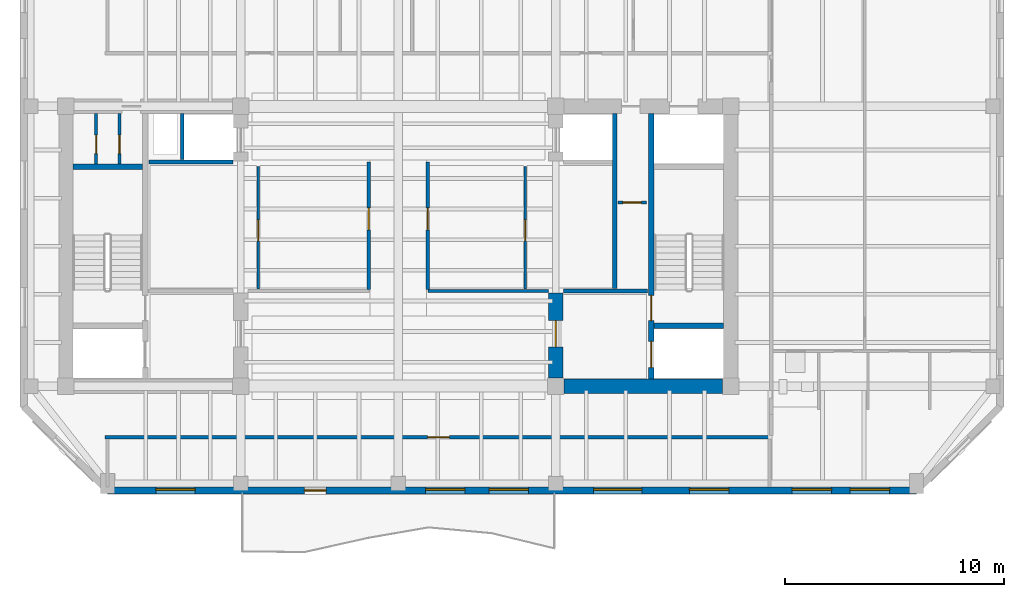
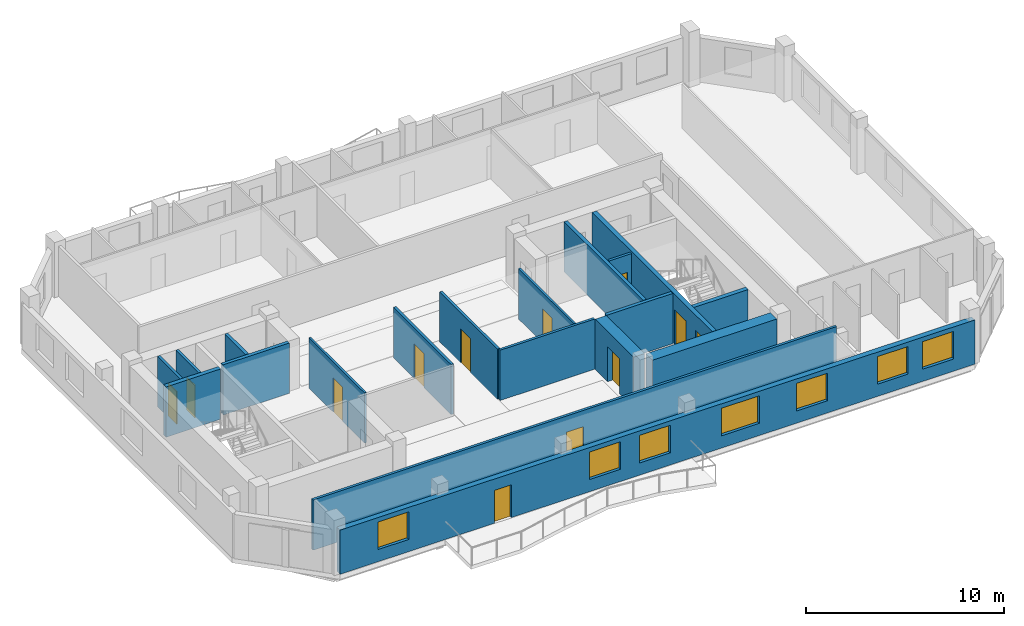
# One storey, part 3 of 9: 19 walls, 12 doors, 7 windows, 19 openings.
"""IFC4 building model written with IfcOpenShell, lengths in metres."""

from ifc_helpers import new_model, si_unit, direction, frame, frame_2d, origin, place, context, subcontext, project, spatial, rectangle, extrude, material, layer, layer_set, type_object, element, fill, save


model = new_model("IFC4")

# Units and contexts
model_context = context("Model", 3, precision=1e-05, world=origin(), true_north=direction((0.0, 1.0)))
body_context = subcontext(model_context, "Body", "Model", "MODEL_VIEW")
ifc_project = project(units=[si_unit("LENGTHUNIT", "METRE"), si_unit("AREAUNIT", "SQUARE_METRE"), si_unit("VOLUMEUNIT", "CUBIC_METRE"), si_unit("PLANEANGLEUNIT", "RADIAN"), si_unit("MASSUNIT", "GRAM", prefix="KILO")], contexts=[model_context])

# Site, building, storey
site_placement = place(None, origin())
site = spatial("IfcSite", under=ifc_project, at=site_placement, CompositionType="ELEMENT")
building_placement = place(site_placement, origin())
building = spatial("IfcBuilding", under=site, at=building_placement, Name="Kranthara Brick Stack", CompositionType="ELEMENT")
storey_placement = place(building_placement, frame((0.0, 0.0, 255.10009765625)))
storey = spatial("IfcBuildingStorey", under=building, at=storey_placement, Name="L67", CompositionType="ELEMENT", Elevation=255.10009765625)

# Wall, openings, door, windows
ifc_material_1 = material(Name="Warm buff clay brick masonry M15", Category="masonry")
ifc_layer_1 = layer(ifc_material_1, 0.320068359375)
ifc_layer_set_1 = layer_set([ifc_layer_1], Name="Warm buff clay brick masonry M15")
wall_type_1 = type_object("IfcWallType", Name="WL-BRK-UPPR-320", PredefinedType="STANDARD", material=ifc_layer_set_1)
wall_1_placement = place(storey_placement, frame((51.699951171875, 16.030029296875, 0.0), z_axis=(0.0, 0.0, 1.0), x_axis=(-1.0, 0.0, 0.0)))
wall_1 = element("IfcWall", 1, at=wall_1_placement, inside=storey, type_object=wall_type_1, Name="L67 Exterior Brick Facade Wall SOUTH 1", PredefinedType="STANDARD", context=body_context, shape_type="SweptSolid", body=[
    extrude(rectangle(XDim=37.0, YDim=0.320068359375, at=frame_2d((18.5, 0.0))), origin(), (0.0, 0.0, 1.0), 2.724853515625),
])
opening_1_placement = place(wall_1_placement, frame((27.0, 0.0, 0.0)))
opening_1 = element("IfcOpeningElement", 2, at=opening_1_placement, cuts=wall_1, Name="Opening D03", PredefinedType="OPENING", context=body_context, shape_type="SweptSolid", body=[
    extrude(rectangle(XDim=1.0, YDim=2.02001953125, at=frame_2d((0.5, 1.010009765625))), frame((0.0, 0.169921875, 0.0), z_axis=(0.0, -1.0, 0.0), x_axis=(1.0, 0.0, 0.0)), (0.0, 0.0, 1.0), 0.340087890625),
])
opening_2_placement = place(wall_1_placement, frame((1.235107421875, 0.0, 0.75)))
opening_2 = element("IfcOpeningElement", 3, at=opening_2_placement, cuts=wall_1, Name="Opening WN07", PredefinedType="OPENING", context=body_context, shape_type="SweptSolid", body=[
    extrude(rectangle(XDim=1.800048828125, YDim=1.699951171875, at=frame_2d((0.89990234375, 0.85009765625))), frame((0.0, 0.169921875, 0.0), z_axis=(0.0, -1.0, 0.0), x_axis=(1.0, 0.0, 0.0)), (0.0, 0.0, 1.0), 0.340087890625),
])
opening_3_placement = place(wall_1_placement, frame((3.885009765625, 0.0, 0.75)))
opening_3 = element("IfcOpeningElement", 4, at=opening_3_placement, cuts=wall_1, Name="Opening WN07", PredefinedType="OPENING", context=body_context, shape_type="SweptSolid", body=[
    extrude(rectangle(XDim=1.800048828125, YDim=1.699951171875, at=frame_2d((0.89990234375, 0.85009765625))), frame((0.0, 0.169921875, 0.0), z_axis=(0.0, -1.0, 0.0), x_axis=(1.0, 0.0, 0.0)), (0.0, 0.0, 1.0), 0.340087890625),
])
opening_4_placement = place(wall_1_placement, frame((8.5830078125, 0.0, 0.75)))
opening_4 = element("IfcOpeningElement", 5, at=opening_4_placement, cuts=wall_1, Name="Opening WN07", PredefinedType="OPENING", context=body_context, shape_type="SweptSolid", body=[
    extrude(rectangle(XDim=1.800048828125, YDim=1.699951171875, at=frame_2d((0.89990234375, 0.85009765625))), frame((0.0, 0.169921875, 0.0), z_axis=(0.0, -1.0, 0.0), x_axis=(1.0, 0.0, 0.0)), (0.0, 0.0, 1.0), 0.340087890625),
])
opening_5_placement = place(wall_1_placement, frame((12.56201171875, 0.0, 0.75)))
opening_5 = element("IfcOpeningElement", 6, at=opening_5_placement, cuts=wall_1, Name="Opening WN08", PredefinedType="OPENING", context=body_context, shape_type="SweptSolid", body=[
    extrude(rectangle(XDim=2.199951171875, YDim=1.699951171875, at=frame_2d((1.10009765625, 0.85009765625))), frame((0.0, 0.169921875, 0.0), z_axis=(0.0, -1.0, 0.0), x_axis=(1.0, 0.0, 0.0)), (0.0, 0.0, 1.0), 0.340087890625),
])
opening_6_placement = place(wall_1_placement, frame((17.748046875, 0.0, 0.75)))
opening_6 = element("IfcOpeningElement", 7, at=opening_6_placement, cuts=wall_1, Name="Opening WN07", PredefinedType="OPENING", context=body_context, shape_type="SweptSolid", body=[
    extrude(rectangle(XDim=1.800048828125, YDim=1.699951171875, at=frame_2d((0.89990234375, 0.85009765625))), frame((0.0, 0.169921875, 0.0), z_axis=(0.0, -1.0, 0.0), x_axis=(1.0, 0.0, 0.0)), (0.0, 0.0, 1.0), 0.340087890625),
])
opening_7_placement = place(wall_1_placement, frame((20.652099609375, 0.0, 0.75)))
opening_7 = element("IfcOpeningElement", 8, at=opening_7_placement, cuts=wall_1, Name="Opening WN07", PredefinedType="OPENING", context=body_context, shape_type="SweptSolid", body=[
    extrude(rectangle(XDim=1.800048828125, YDim=1.699951171875, at=frame_2d((0.89990234375, 0.85009765625))), frame((0.0, 0.169921875, 0.0), z_axis=(0.0, -1.0, 0.0), x_axis=(1.0, 0.0, 0.0)), (0.0, 0.0, 1.0), 0.340087890625),
])
opening_8_placement = place(wall_1_placement, frame((32.988037109375, 0.0, 0.75)))
opening_8 = element("IfcOpeningElement", 9, at=opening_8_placement, cuts=wall_1, Name="Opening WN07", PredefinedType="OPENING", context=body_context, shape_type="SweptSolid", body=[
    extrude(rectangle(XDim=1.800048828125, YDim=1.699951171875, at=frame_2d((0.89990234375, 0.85009765625))), frame((0.0, 0.169921875, 0.0), z_axis=(0.0, -1.0, 0.0), x_axis=(1.0, 0.0, 0.0)), (0.0, 0.0, 1.0), 0.340087890625),
])
ifc_material_2 = material(Name="Bronze anodised aluminium and laminated glass", Category="aluminium")
door_type_1 = type_object("IfcDoorType", Name="DR-BALC-1000", OperationType="NOTDEFINED", PredefinedType="DOOR", material=ifc_material_2)
door_1_placement = place(opening_1_placement, origin())
door_1 = element("IfcDoor", 10, at=door_1_placement, inside=storey, type_object=door_type_1, Name="L67 South Balcony Terrace Door", OperationType="SINGLE_SWING_LEFT", OverallHeight=2.02001953125, OverallWidth=1.0, PredefinedType="DOOR", context=body_context, shape_type="SweptSolid", body=[
    extrude(rectangle(XDim=1.0, YDim=2.02001953125, at=frame_2d((0.5, 1.010009765625))), frame((0.0, 0.02490234375, 0.0), z_axis=(0.0, -1.0, 0.0), x_axis=(1.0, 0.0, 0.0)), (0.0, 0.0, 1.0), 0.050048828125),
])
fill(opening_1, door_1)
ifc_material_3 = material(Name="Double-glazed low-E solar control glass", Category="glass")
window_type_1 = type_object("IfcWindowType", Name="WN-RES-1800x1850", PartitioningType="DOUBLE_PANEL_VERTICAL", PredefinedType="WINDOW", material=ifc_material_3)
window_1_placement = place(opening_2_placement, origin())
window_1 = element("IfcWindow", 11, at=window_1_placement, inside=storey, type_object=window_type_1, Name="L67 South Deep-Set Brick Window 01", OverallHeight=1.699951171875, OverallWidth=1.800048828125, PartitioningType="SINGLE_PANEL", PredefinedType="WINDOW", context=body_context, shape_type="SweptSolid", body=[
    extrude(rectangle(XDim=1.800048828125, YDim=1.699951171875, at=frame_2d((0.89990234375, 0.85009765625))), frame((0.0, -0.010009765625, 0.0), z_axis=(0.0, -1.0, 0.0), x_axis=(1.0, 0.0, 0.0)), (0.0, 0.0, 1.0), 0.06005859375),
])
fill(opening_2, window_1)
window_2_placement = place(opening_3_placement, origin())
window_2 = element("IfcWindow", 12, at=window_2_placement, inside=storey, type_object=window_type_1, Name="L67 South Deep-Set Brick Window 02", OverallHeight=1.699951171875, OverallWidth=1.800048828125, PartitioningType="SINGLE_PANEL", PredefinedType="WINDOW", context=body_context, shape_type="SweptSolid", body=[
    extrude(rectangle(XDim=1.800048828125, YDim=1.699951171875, at=frame_2d((0.89990234375, 0.85009765625))), frame((0.0, -0.010009765625, 0.0), z_axis=(0.0, -1.0, 0.0), x_axis=(1.0, 0.0, 0.0)), (0.0, 0.0, 1.0), 0.06005859375),
])
fill(opening_3, window_2)
window_3_placement = place(opening_4_placement, origin())
window_3 = element("IfcWindow", 13, at=window_3_placement, inside=storey, type_object=window_type_1, Name="L67 South Deep-Set Brick Window 03", OverallHeight=1.699951171875, OverallWidth=1.800048828125, PartitioningType="SINGLE_PANEL", PredefinedType="WINDOW", context=body_context, shape_type="SweptSolid", body=[
    extrude(rectangle(XDim=1.800048828125, YDim=1.699951171875, at=frame_2d((0.89990234375, 0.85009765625))), frame((0.0, -0.010009765625, 0.0), z_axis=(0.0, -1.0, 0.0), x_axis=(1.0, 0.0, 0.0)), (0.0, 0.0, 1.0), 0.06005859375),
])
fill(opening_4, window_3)
window_4_placement = place(opening_6_placement, origin())
window_4 = element("IfcWindow", 14, at=window_4_placement, inside=storey, type_object=window_type_1, Name="L67 South Deep-Set Brick Window 05", OverallHeight=1.699951171875, OverallWidth=1.800048828125, PartitioningType="SINGLE_PANEL", PredefinedType="WINDOW", context=body_context, shape_type="SweptSolid", body=[
    extrude(rectangle(XDim=1.800048828125, YDim=1.699951171875, at=frame_2d((0.89990234375, 0.85009765625))), frame((0.0, -0.010009765625, 0.0), z_axis=(0.0, -1.0, 0.0), x_axis=(1.0, 0.0, 0.0)), (0.0, 0.0, 1.0), 0.06005859375),
])
fill(opening_6, window_4)
window_5_placement = place(opening_7_placement, origin())
window_5 = element("IfcWindow", 15, at=window_5_placement, inside=storey, type_object=window_type_1, Name="L67 South Deep-Set Brick Window 06", OverallHeight=1.699951171875, OverallWidth=1.800048828125, PartitioningType="SINGLE_PANEL", PredefinedType="WINDOW", context=body_context, shape_type="SweptSolid", body=[
    extrude(rectangle(XDim=1.800048828125, YDim=1.699951171875, at=frame_2d((0.89990234375, 0.85009765625))), frame((0.0, -0.010009765625, 0.0), z_axis=(0.0, -1.0, 0.0), x_axis=(1.0, 0.0, 0.0)), (0.0, 0.0, 1.0), 0.06005859375),
])
fill(opening_7, window_5)
window_6_placement = place(opening_8_placement, origin())
window_6 = element("IfcWindow", 16, at=window_6_placement, inside=storey, type_object=window_type_1, Name="L67 South Deep-Set Brick Window 07", OverallHeight=1.699951171875, OverallWidth=1.800048828125, PartitioningType="SINGLE_PANEL", PredefinedType="WINDOW", context=body_context, shape_type="SweptSolid", body=[
    extrude(rectangle(XDim=1.800048828125, YDim=1.699951171875, at=frame_2d((0.89990234375, 0.85009765625))), frame((0.0, -0.010009765625, 0.0), z_axis=(0.0, -1.0, 0.0), x_axis=(1.0, 0.0, 0.0)), (0.0, 0.0, 1.0), 0.06005859375),
])
fill(opening_8, window_6)
ifc_material_4 = material(Name="Double-glazed low-E solar control glass", Category="glass")
window_type_2 = type_object("IfcWindowType", Name="WN-RES-2200x1850", PartitioningType="TRIPLE_PANEL_VERTICAL", PredefinedType="WINDOW", material=ifc_material_4)
window_7_placement = place(opening_5_placement, origin())
window_7 = element("IfcWindow", 17, at=window_7_placement, inside=storey, type_object=window_type_2, Name="L67 South Deep-Set Brick Window 04", OverallHeight=1.699951171875, OverallWidth=2.199951171875, PartitioningType="SINGLE_PANEL", PredefinedType="WINDOW", context=body_context, shape_type="SweptSolid", body=[
    extrude(rectangle(XDim=2.199951171875, YDim=1.699951171875, at=frame_2d((1.10009765625, 0.85009765625))), frame((0.0, -0.010009765625, 0.0), z_axis=(0.0, -1.0, 0.0), x_axis=(1.0, 0.0, 0.0)), (0.0, 0.0, 1.0), 0.06005859375),
])
fill(opening_5, window_7)

# Wall
ifc_material_5 = material(Name="Concrete C50/60", Category="concrete")
ifc_layer_2 = layer(ifc_material_5, 0.25)
ifc_layer_set_2 = layer_set([ifc_layer_2], Name="Concrete C50/60")
wall_type_2 = type_object("IfcWallType", Name="WL-CORE-250", PredefinedType="SHEAR", material=ifc_layer_set_2)
wall_2_placement = place(storey_placement, frame((13.135009765625, 30.830078125, 0.0), z_axis=(0.0, 0.0, 1.0), x_axis=(1.0, 0.0, 0.0)))
element("IfcWall", 18, at=wall_2_placement, inside=storey, type_object=wall_type_2, Name="L67 West Stairwell Bearing Wall WST", PredefinedType="SHEAR", context=body_context, shape_type="SweptSolid", body=[
    extrude(rectangle(XDim=3.175048828125, YDim=0.25, at=frame_2d((1.58740234375, 0.0))), origin(), (0.0, 0.0, 1.0), 3.099853515625),
])

# Wall, openings, doors
wall_3_placement = place(storey_placement, frame((39.56494140625, 21.135009765625, 0.0), z_axis=(0.0, 0.0, 1.0), x_axis=(0.0, 1.0, 0.0)))
wall_3 = element("IfcWall", 19, at=wall_3_placement, inside=storey, type_object=wall_type_2, Name="L67 East Core Stair Bearing Spine Wall", PredefinedType="SHEAR", context=body_context, shape_type="SweptSolid", body=[
    extrude(rectangle(XDim=12.1298828125, YDim=0.25, at=frame_2d((6.06494140625, 0.0))), origin(), (0.0, 0.0, 1.0), 3.099853515625),
])
opening_9_placement = place(wall_3_placement, frame((0.514892578125, 0.0, 0.0)))
opening_9 = element("IfcOpeningElement", 20, at=opening_9_placement, cuts=wall_3, Name="Opening LD01", PredefinedType="OPENING", context=body_context, shape_type="SweptSolid", body=[
    extrude(rectangle(XDim=1.199951171875, YDim=2.14990234375, at=frame_2d((0.60009765625, 1.074951171875))), frame((0.0, 0.135009765625, 0.0), z_axis=(0.0, -1.0, 0.0), x_axis=(1.0, 0.0, 0.0)), (0.0, 0.0, 1.0), 0.27001953125),
])
opening_10_placement = place(wall_3_placement, frame((2.6650390625, 0.0, 0.0)))
opening_10 = element("IfcOpeningElement", 21, at=opening_10_placement, cuts=wall_3, Name="Opening D05", PredefinedType="OPENING", context=body_context, shape_type="SweptSolid", body=[
    extrude(rectangle(XDim=1.14990234375, YDim=2.14990234375, at=frame_2d((0.574951171875, 1.074951171875))), frame((0.0, 0.135009765625, 0.0), z_axis=(0.0, -1.0, 0.0), x_axis=(1.0, 0.0, 0.0)), (0.0, 0.0, 1.0), 0.27001953125),
])
ifc_material_6 = material(Name="Stainless steel sliding landing door", Category="steel")
door_type_2 = type_object("IfcDoorType", Name="DR-LD-FF1200", OperationType="DOUBLE_DOOR_SLIDING", PredefinedType="DOOR", material=ifc_material_6)
door_2_placement = place(opening_9_placement, origin())
door_2 = element("IfcDoor", 22, at=door_2_placement, inside=storey, type_object=door_type_2, Name="L67 Firefighting Lift FF-02 Landing Door", OperationType="DOUBLE_DOOR_SLIDING", OverallHeight=2.14990234375, OverallWidth=1.199951171875, PredefinedType="DOOR", context=body_context, shape_type="SweptSolid", body=[
    extrude(rectangle(XDim=1.199951171875, YDim=2.14990234375, at=frame_2d((0.60009765625, 1.074951171875))), frame((0.0, 0.02490234375, 0.0), z_axis=(0.0, -1.0, 0.0), x_axis=(1.0, 0.0, 0.0)), (0.0, 0.0, 1.0), 0.050048828125),
])
fill(opening_9, door_2)
ifc_material_7 = material(Name="Solid-core hardwood timber leaf in steel frame", Category="steel")
door_type_3 = type_object("IfcDoorType", Name="DR-ST-1150", OperationType="NOTDEFINED", PredefinedType="DOOR", material=ifc_material_7)
door_3_placement = place(opening_10_placement, origin())
door_3 = element("IfcDoor", 23, at=door_3_placement, inside=storey, type_object=door_type_3, Name="L67 Exit Stair ST02 Door", OperationType="SINGLE_SWING_LEFT", OverallHeight=2.14990234375, OverallWidth=1.14990234375, PredefinedType="DOOR", context=body_context, shape_type="SweptSolid", body=[
    extrude(rectangle(XDim=1.14990234375, YDim=2.14990234375, at=frame_2d((0.574951171875, 1.074951171875))), frame((0.0, 0.02490234375, 0.0), z_axis=(0.0, -1.0, 0.0), x_axis=(1.0, 0.0, 0.0)), (0.0, 0.0, 1.0), 0.050048828125),
])
fill(opening_10, door_3)

# Walls
wall_4_placement = place(storey_placement, frame((39.68994140625, 23.570068359375, 0.0), z_axis=(0.0, 0.0, 1.0), x_axis=(1.0, 0.0, 0.0)))
element("IfcWall", 24, at=wall_4_placement, inside=storey, type_object=wall_type_2, Name="L67 East Stairwell Bearing Wall EFF", PredefinedType="SHEAR", context=body_context, shape_type="SweptSolid", body=[
    extrude(rectangle(XDim=3.175048828125, YDim=0.25, at=frame_2d((1.58740234375, 0.0))), origin(), (0.0, 0.0, 1.0), 3.099853515625),
])
ifc_material_8 = material(Name="Concrete C60/75", Category="concrete")
ifc_layer_3 = layer(ifc_material_8, 0.64990234375)
ifc_layer_set_3 = layer_set([ifc_layer_3], Name="Concrete C60/75")
wall_type_3 = type_object("IfcWallType", Name="WL-CORE-650", PredefinedType="SHEAR", material=ifc_layer_set_3)
wall_5_placement = place(storey_placement, frame((35.580078125, 20.800048828125, 0.0), z_axis=(0.0, 0.0, 1.0), x_axis=(1.0, 0.0, 0.0)))
element("IfcWall", 25, at=wall_5_placement, inside=storey, type_object=wall_type_3, Name="L67 East Core Shear Wall South", PredefinedType="SHEAR", context=body_context, shape_type="SweptSolid", body=[
    extrude(rectangle(XDim=7.239990234375, YDim=0.64990234375, at=frame_2d((3.6201171875, 0.0))), origin(), (0.0, 0.0, 1.0), 3.099853515625),
])

# Wall, opening, door
wall_6_placement = place(storey_placement, frame((35.199951171875, 21.179931640625, 0.0), z_axis=(0.0, 0.0, 1.0), x_axis=(0.0, 1.0, 0.0)))
wall_6 = element("IfcWall", 26, at=wall_6_placement, inside=storey, type_object=wall_type_3, Name="L67 East Core Lobby Shear Wall", PredefinedType="SHEAR", context=body_context, shape_type="SweptSolid", body=[
    extrude(rectangle(XDim=3.8701171875, YDim=0.64990234375, at=frame_2d((1.93505859375, 0.0))), origin(), (0.0, 0.0, 1.0), 3.099853515625),
])
opening_11_placement = place(wall_6_placement, frame((1.419921875, 0.0, 0.0)))
opening_11 = element("IfcOpeningElement", 27, at=opening_11_placement, cuts=wall_6, Name="Opening D06", PredefinedType="OPENING", context=body_context, shape_type="SweptSolid", body=[
    extrude(rectangle(XDim=1.199951171875, YDim=2.14990234375, at=frame_2d((0.60009765625, 1.074951171875))), frame((0.0, 0.3349609375, 0.0), z_axis=(0.0, -1.0, 0.0), x_axis=(1.0, 0.0, 0.0)), (0.0, 0.0, 1.0), 0.669921875),
])
ifc_material_9 = material(Name="Solid-core hardwood timber leaf in steel frame", Category="steel")
door_type_4 = type_object("IfcDoorType", Name="DR-FFL-1200", OperationType="NOTDEFINED", PredefinedType="DOOR", material=ifc_material_9)
door_4_placement = place(opening_11_placement, origin())
door_4 = element("IfcDoor", 28, at=door_4_placement, inside=storey, type_object=door_type_4, Name="L67 East Firefighting Lobby Door", OperationType="SINGLE_SWING_RIGHT", OverallHeight=2.14990234375, OverallWidth=1.199951171875, PredefinedType="DOOR", context=body_context, shape_type="SweptSolid", body=[
    extrude(rectangle(XDim=1.199951171875, YDim=2.14990234375, at=frame_2d((0.60009765625, 1.074951171875))), frame((0.0, 0.02490234375, 0.0), z_axis=(0.0, -1.0, 0.0), x_axis=(1.0, 0.0, 0.0)), (0.0, 0.0, 1.0), 0.050048828125),
])
fill(opening_11, door_4)

ifc_material_10 = material(Name="Acoustic gypsum plasterboard partition", Category="other")
ifc_layer_4 = layer(ifc_material_10, 0.1201171875)
ifc_layer_set_4 = layer_set([ifc_layer_4], Name="Acoustic gypsum plasterboard partition")
wall_type_4 = type_object("IfcWallType", Name="WL-PART-120", PredefinedType="PARTITIONING", material=ifc_layer_set_4)
wall_7_placement = place(storey_placement, frame((21.60009765625, 25.25, 0.0), z_axis=(0.0, 0.0, 1.0), x_axis=(0.0, 1.0, 0.0)))
wall_7 = element("IfcWall", 29, at=wall_7_placement, inside=storey, type_object=wall_type_4, Name="L67 Interior Partition 007", PredefinedType="PARTITIONING", context=body_context, shape_type="SweptSolid", body=[
    extrude(rectangle(XDim=5.60009765625, YDim=0.1201171875, at=frame_2d((2.800048828125, 0.0))), origin(), (0.0, 0.0, 1.0), 3.099853515625),
])
opening_12_placement = place(wall_7_placement, frame((2.199951171875, 0.0, 0.0)))
opening_12 = element("IfcOpeningElement", 30, at=opening_12_placement, cuts=wall_7, Name="Opening D14", PredefinedType="OPENING", context=body_context, shape_type="SweptSolid", body=[
    extrude(rectangle(XDim=0.949951171875, YDim=2.10009765625, at=frame_2d((0.47509765625, 1.050048828125))), frame((0.0, 0.070068359375, 0.0), z_axis=(0.0, -1.0, 0.0), x_axis=(1.0, 0.0, 0.0)), (0.0, 0.0, 1.0), 0.14013671875),
])
ifc_material_11 = material(Name="Solid-core hardwood timber leaf in steel frame", Category="steel")
door_type_5 = type_object("IfcDoorType", Name="DR-INT-950", OperationType="NOTDEFINED", PredefinedType="DOOR", material=ifc_material_11)
door_5_placement = place(opening_12_placement, origin())
door_5 = element("IfcDoor", 31, at=door_5_placement, inside=storey, type_object=door_type_5, Name="L67 Inner Archive Door 04", OperationType="SINGLE_SWING_RIGHT", OverallHeight=2.10009765625, OverallWidth=0.949951171875, PredefinedType="DOOR", context=body_context, shape_type="SweptSolid", body=[
    extrude(rectangle(XDim=0.949951171875, YDim=2.10009765625, at=frame_2d((0.47509765625, 1.050048828125))), frame((0.0, 0.02490234375, 0.0), z_axis=(0.0, -1.0, 0.0), x_axis=(1.0, 0.0, 0.0)), (0.0, 0.0, 1.0), 0.050048828125),
])
fill(opening_12, door_5)

wall_8_placement = place(storey_placement, frame((33.800048828125, 25.25, 0.0), z_axis=(0.0, 0.0, 1.0), x_axis=(0.0, 1.0, 0.0)))
wall_8 = element("IfcWall", 32, at=wall_8_placement, inside=storey, type_object=wall_type_4, Name="L67 Interior Partition 009", PredefinedType="PARTITIONING", context=body_context, shape_type="SweptSolid", body=[
    extrude(rectangle(XDim=5.60009765625, YDim=0.1201171875, at=frame_2d((2.800048828125, 0.0))), origin(), (0.0, 0.0, 1.0), 3.099853515625),
])
opening_13_placement = place(wall_8_placement, frame((2.199951171875, 0.0, 0.0)))
opening_13 = element("IfcOpeningElement", 33, at=opening_13_placement, cuts=wall_8, Name="Opening D14", PredefinedType="OPENING", context=body_context, shape_type="SweptSolid", body=[
    extrude(rectangle(XDim=0.949951171875, YDim=2.10009765625, at=frame_2d((0.47509765625, 1.050048828125))), frame((0.0, 0.070068359375, 0.0), z_axis=(0.0, -1.0, 0.0), x_axis=(1.0, 0.0, 0.0)), (0.0, 0.0, 1.0), 0.14013671875),
])
door_6_placement = place(opening_13_placement, origin())
door_6 = element("IfcDoor", 34, at=door_6_placement, inside=storey, type_object=door_type_5, Name="L67 Wine Tasting Door 06", OperationType="SINGLE_SWING_RIGHT", OverallHeight=2.10009765625, OverallWidth=0.949951171875, PredefinedType="DOOR", context=body_context, shape_type="SweptSolid", body=[
    extrude(rectangle(XDim=0.949951171875, YDim=2.10009765625, at=frame_2d((0.47509765625, 1.050048828125))), frame((0.0, 0.02490234375, 0.0), z_axis=(0.0, -1.0, 0.0), x_axis=(1.0, 0.0, 0.0)), (0.0, 0.0, 1.0), 0.050048828125),
])
fill(opening_13, door_6)

ifc_material_12 = material(Name="Fire-rated gypsum board partition", Category="other")
ifc_layer_5 = layer(ifc_material_12, 0.14990234375)
ifc_layer_set_5 = layer_set([ifc_layer_5], Name="Fire-rated gypsum board partition")
wall_type_5 = type_object("IfcWallType", Name="WL-PART-150", PredefinedType="PARTITIONING", material=ifc_layer_set_5)
wall_9_placement = place(storey_placement, frame((14.179931640625, 30.9599609375, 0.0), z_axis=(0.0, 0.0, 1.0), x_axis=(0.0, 1.0, 0.0)))
wall_9 = element("IfcWall", 35, at=wall_9_placement, inside=storey, type_object=wall_type_5, Name="L67 Interior Partition 001", PredefinedType="PARTITIONING", context=body_context, shape_type="SweptSolid", body=[
    extrude(rectangle(XDim=2.31005859375, YDim=0.14990234375, at=frame_2d((1.155029296875, 0.0))), origin(), (0.0, 0.0, 1.0), 3.099853515625),
])
opening_14_placement = place(wall_9_placement, frame((0.469970703125, 0.0, 0.0)))
opening_14 = element("IfcOpeningElement", 36, at=opening_14_placement, cuts=wall_9, Name="Opening D10", PredefinedType="OPENING", context=body_context, shape_type="SweptSolid", body=[
    extrude(rectangle(XDim=0.85009765625, YDim=2.02001953125, at=frame_2d((0.425048828125, 1.010009765625))), frame((0.0, 0.0849609375, 0.0), z_axis=(0.0, -1.0, 0.0), x_axis=(1.0, 0.0, 0.0)), (0.0, 0.0, 1.0), 0.169921875),
])
ifc_material_13 = material(Name="Solid-core hardwood timber leaf in steel frame", Category="steel")
door_type_6 = type_object("IfcDoorType", Name="DR-RSR-850", OperationType="NOTDEFINED", PredefinedType="DOOR", material=ifc_material_13)
door_7_placement = place(opening_14_placement, origin())
door_7 = element("IfcDoor", 37, at=door_7_placement, inside=storey, type_object=door_type_6, Name="L67 Riser Door A 01", OperationType="SINGLE_SWING_LEFT", OverallHeight=2.02001953125, OverallWidth=0.85009765625, PredefinedType="DOOR", context=body_context, shape_type="SweptSolid", body=[
    extrude(rectangle(XDim=0.85009765625, YDim=2.02001953125, at=frame_2d((0.425048828125, 1.010009765625))), frame((0.0, 0.02490234375, 0.0), z_axis=(0.0, -1.0, 0.0), x_axis=(1.0, 0.0, 0.0)), (0.0, 0.0, 1.0), 0.050048828125),
])
fill(opening_14, door_7)

wall_10_placement = place(storey_placement, frame((15.25, 30.9599609375, 0.0), z_axis=(0.0, 0.0, 1.0), x_axis=(0.0, 1.0, 0.0)))
wall_10 = element("IfcWall", 38, at=wall_10_placement, inside=storey, type_object=wall_type_5, Name="L67 Interior Partition 002", PredefinedType="PARTITIONING", context=body_context, shape_type="SweptSolid", body=[
    extrude(rectangle(XDim=2.31005859375, YDim=0.14990234375, at=frame_2d((1.155029296875, 0.0))), origin(), (0.0, 0.0, 1.0), 3.099853515625),
])
opening_15_placement = place(wall_10_placement, frame((0.469970703125, 0.0, 0.0)))
opening_15 = element("IfcOpeningElement", 39, at=opening_15_placement, cuts=wall_10, Name="Opening D10", PredefinedType="OPENING", context=body_context, shape_type="SweptSolid", body=[
    extrude(rectangle(XDim=0.85009765625, YDim=2.02001953125, at=frame_2d((0.425048828125, 1.010009765625))), frame((0.0, 0.0849609375, 0.0), z_axis=(0.0, -1.0, 0.0), x_axis=(1.0, 0.0, 0.0)), (0.0, 0.0, 1.0), 0.169921875),
])
door_8_placement = place(opening_15_placement, origin())
door_8 = element("IfcDoor", 40, at=door_8_placement, inside=storey, type_object=door_type_6, Name="L67 Riser Door B 02", OperationType="SINGLE_SWING_RIGHT", OverallHeight=2.02001953125, OverallWidth=0.85009765625, PredefinedType="DOOR", context=body_context, shape_type="SweptSolid", body=[
    extrude(rectangle(XDim=0.85009765625, YDim=2.02001953125, at=frame_2d((0.425048828125, 1.010009765625))), frame((0.0, 0.02490234375, 0.0), z_axis=(0.0, -1.0, 0.0), x_axis=(1.0, 0.0, 0.0)), (0.0, 0.0, 1.0), 0.050048828125),
])
fill(opening_15, door_8)

wall_11_placement = place(storey_placement, frame((38.050048828125, 29.199951171875, 0.0), z_axis=(0.0, 0.0, 1.0), x_axis=(1.0, 0.0, 0.0)))
wall_11 = element("IfcWall", 41, at=wall_11_placement, inside=storey, type_object=wall_type_5, Name="L67 Interior Partition 003", PredefinedType="PARTITIONING", context=body_context, shape_type="SweptSolid", body=[
    extrude(rectangle(XDim=1.300048828125, YDim=0.14990234375, at=frame_2d((0.64990234375, 0.0))), origin(), (0.0, 0.0, 1.0), 3.099853515625),
])
opening_16_placement = place(wall_11_placement, frame((0.219970703125, 0.0, 0.0)))
opening_16 = element("IfcOpeningElement", 42, at=opening_16_placement, cuts=wall_11, Name="Opening D10", PredefinedType="OPENING", context=body_context, shape_type="SweptSolid", body=[
    extrude(rectangle(XDim=0.85009765625, YDim=2.02001953125, at=frame_2d((0.425048828125, 1.010009765625))), frame((0.0, 0.0849609375, 0.0), z_axis=(0.0, -1.0, 0.0), x_axis=(1.0, 0.0, 0.0)), (0.0, 0.0, 1.0), 0.169921875),
])
door_9_placement = place(opening_16_placement, origin())
door_9 = element("IfcDoor", 43, at=door_9_placement, inside=storey, type_object=door_type_6, Name="L67 East Service Door 03", OperationType="SINGLE_SWING_LEFT", OverallHeight=2.02001953125, OverallWidth=0.85009765625, PredefinedType="DOOR", context=body_context, shape_type="SweptSolid", body=[
    extrude(rectangle(XDim=0.85009765625, YDim=2.02001953125, at=frame_2d((0.425048828125, 1.010009765625))), frame((0.0, 0.02490234375, 0.0), z_axis=(0.0, -1.0, 0.0), x_axis=(1.0, 0.0, 0.0)), (0.0, 0.0, 1.0), 0.050048828125),
])
fill(opening_16, door_9)

# Wall
wall_12_placement = place(storey_placement, frame((29.35009765625, 25.14990234375, 0.0), z_axis=(0.0, 0.0, 1.0), x_axis=(1.0, 0.0, 0.0)))
element("IfcWall", 44, at=wall_12_placement, inside=storey, type_object=wall_type_5, Name="L67 Interior Partition 005", PredefinedType="PARTITIONING", context=body_context, shape_type="SweptSolid", body=[
    extrude(rectangle(XDim=5.52001953125, YDim=0.14990234375, at=frame_2d((2.760009765625, 0.0))), origin(), (0.0, 0.0, 1.0), 3.099853515625),
])

# Wall, opening, door
wall_13_placement = place(storey_placement, frame((26.64990234375, 25.22998046875, 0.0), z_axis=(0.0, 0.0, 1.0), x_axis=(0.0, 1.0, 0.0)))
wall_13 = element("IfcWall", 45, at=wall_13_placement, inside=storey, type_object=wall_type_5, Name="L67 Interior Partition 006", PredefinedType="PARTITIONING", context=body_context, shape_type="SweptSolid", body=[
    extrude(rectangle(XDim=5.820068359375, YDim=0.14990234375, at=frame_2d((2.91015625, 0.0))), origin(), (0.0, 0.0, 1.0), 3.099853515625),
])
opening_17_placement = place(wall_13_placement, frame((2.719970703125, 0.0, 0.0)))
opening_17 = element("IfcOpeningElement", 46, at=opening_17_placement, cuts=wall_13, Name="Opening D08", PredefinedType="OPENING", context=body_context, shape_type="SweptSolid", body=[
    extrude(rectangle(XDim=1.0, YDim=2.10009765625, at=frame_2d((0.5, 1.050048828125))), frame((0.0, 0.0849609375, 0.0), z_axis=(0.0, -1.0, 0.0), x_axis=(1.0, 0.0, 0.0)), (0.0, 0.0, 1.0), 0.169921875),
])
ifc_material_14 = material(Name="Solid-core hardwood timber leaf in steel frame", Category="steel")
door_type_7 = type_object("IfcDoorType", Name="DR-FD-1000", OperationType="NOTDEFINED", PredefinedType="DOOR", material=ifc_material_14)
door_10_placement = place(opening_17_placement, origin())
door_10 = element("IfcDoor", 47, at=door_10_placement, inside=storey, type_object=door_type_7, Name="L67 Residents Gallery 05", OperationType="SINGLE_SWING_LEFT", OverallHeight=2.10009765625, OverallWidth=1.0, PredefinedType="DOOR", context=body_context, shape_type="SweptSolid", body=[
    extrude(rectangle(XDim=1.0, YDim=2.10009765625, at=frame_2d((0.5, 1.050048828125))), frame((0.0, 0.02490234375, 0.0), z_axis=(0.0, -1.0, 0.0), x_axis=(1.0, 0.0, 0.0)), (0.0, 0.0, 1.0), 0.050048828125),
])
fill(opening_17, door_10)

wall_14_placement = place(storey_placement, frame((29.35009765625, 25.22998046875, 0.0), z_axis=(0.0, 0.0, 1.0), x_axis=(0.0, 1.0, 0.0)))
wall_14 = element("IfcWall", 48, at=wall_14_placement, inside=storey, type_object=wall_type_5, Name="L67 Interior Partition 008", PredefinedType="PARTITIONING", context=body_context, shape_type="SweptSolid", body=[
    extrude(rectangle(XDim=5.820068359375, YDim=0.14990234375, at=frame_2d((2.91015625, 0.0))), origin(), (0.0, 0.0, 1.0), 3.099853515625),
])
opening_18_placement = place(wall_14_placement, frame((2.719970703125, 0.0, 0.0)))
opening_18 = element("IfcOpeningElement", 49, at=opening_18_placement, cuts=wall_14, Name="Opening D08", PredefinedType="OPENING", context=body_context, shape_type="SweptSolid", body=[
    extrude(rectangle(XDim=1.0, YDim=2.10009765625, at=frame_2d((0.5, 1.050048828125))), frame((0.0, 0.0849609375, 0.0), z_axis=(0.0, -1.0, 0.0), x_axis=(1.0, 0.0, 0.0)), (0.0, 0.0, 1.0), 0.169921875),
])
door_11_placement = place(opening_18_placement, origin())
door_11 = element("IfcDoor", 50, at=door_11_placement, inside=storey, type_object=door_type_7, Name="L67 Sky Salon 07", OperationType="SINGLE_SWING_LEFT", OverallHeight=2.10009765625, OverallWidth=1.0, PredefinedType="DOOR", context=body_context, shape_type="SweptSolid", body=[
    extrude(rectangle(XDim=1.0, YDim=2.10009765625, at=frame_2d((0.5, 1.050048828125))), frame((0.0, 0.02490234375, 0.0), z_axis=(0.0, -1.0, 0.0), x_axis=(1.0, 0.0, 0.0)), (0.0, 0.0, 1.0), 0.050048828125),
])
fill(opening_18, door_11)

wall_15_placement = place(storey_placement, frame((14.580078125, 18.4599609375, 0.0), z_axis=(0.0, 0.0, 1.0), x_axis=(1.0, 0.0, 0.0)))
wall_15 = element("IfcWall", 51, at=wall_15_placement, inside=storey, type_object=wall_type_5, Name="L67 Interior Partition 010", PredefinedType="PARTITIONING", context=body_context, shape_type="SweptSolid", body=[
    extrude(rectangle(XDim=30.52001953125, YDim=0.14990234375, at=frame_2d((15.260009765625, 0.0))), origin(), (0.0, 0.0, 1.0), 3.099853515625),
])
opening_19_placement = place(wall_15_placement, frame((14.760009765625, 0.0, 0.0)))
opening_19 = element("IfcOpeningElement", 52, at=opening_19_placement, cuts=wall_15, Name="Opening D08", PredefinedType="OPENING", context=body_context, shape_type="SweptSolid", body=[
    extrude(rectangle(XDim=1.0, YDim=2.10009765625, at=frame_2d((0.5, 1.050048828125))), frame((0.0, 0.0849609375, 0.0), z_axis=(0.0, -1.0, 0.0), x_axis=(1.0, 0.0, 0.0)), (0.0, 0.0, 1.0), 0.169921875),
])
door_12_placement = place(opening_19_placement, origin())
door_12 = element("IfcDoor", 53, at=door_12_placement, inside=storey, type_object=door_type_7, Name="L67 South Amenity Lounge 1 08", OperationType="SINGLE_SWING_RIGHT", OverallHeight=2.10009765625, OverallWidth=1.0, PredefinedType="DOOR", context=body_context, shape_type="SweptSolid", body=[
    extrude(rectangle(XDim=1.0, YDim=2.10009765625, at=frame_2d((0.5, 1.050048828125))), frame((0.0, 0.02490234375, 0.0), z_axis=(0.0, -1.0, 0.0), x_axis=(1.0, 0.0, 0.0)), (0.0, 0.0, 1.0), 0.050048828125),
])
fill(opening_19, door_12)

# Walls
ifc_material_15 = material(Name="Gypsum plasterboard on acoustic twin stud", Category="other")
ifc_layer_6 = layer(ifc_material_15, 0.179931640625)
ifc_layer_set_6 = layer_set([ifc_layer_6], Name="Gypsum plasterboard on acoustic twin stud")
wall_type_6 = type_object("IfcWallType", Name="WL-PART-180", PredefinedType="PARTITIONING", material=ifc_layer_set_6)
wall_16_placement = place(storey_placement, frame((18.1201171875, 31.169921875, 0.0), z_axis=(0.0, 0.0, 1.0), x_axis=(0.0, 1.0, 0.0)))
element("IfcWall", 54, at=wall_16_placement, inside=storey, type_object=wall_type_6, Name="L67 PL-07 Shaft Back Wall", PredefinedType="PARTITIONING", context=body_context, shape_type="SweptSolid", body=[
    extrude(rectangle(XDim=2.094970703125, YDim=0.179931640625, at=frame_2d((1.04736328125, 0.0))), origin(), (0.0, 0.0, 1.0), 3.099853515625),
])
ifc_material_16 = material(Name="Concrete C40/50", Category="concrete")
ifc_layer_7 = layer(ifc_material_16, 0.199951171875)
ifc_layer_set_7 = layer_set([ifc_layer_7], Name="Concrete C40/50")
wall_type_7 = type_object("IfcWallType", Name="WL-PART-200", PredefinedType="SOLIDWALL", material=ifc_layer_set_7)
for number, where, z_axis, x_axis, name in (
    (55, (16.60009765625, 31.050048828125, 0.0), (0.0, 0.0, 1.0), (1.0, 0.0, 0.0), "L67 West Core Cross Wall WH4"),
    (56, (35.550048828125, 25.14990234375, 0.0), (0.0, 0.0, 1.0), (1.0, 0.0, 0.0), "L67 East Core Cross Wall EFL"),
):
    element("IfcWall", number, at=place(storey_placement, frame(where, z_axis=z_axis, x_axis=x_axis)), inside=storey, type_object=wall_type_7, Name=name, PredefinedType="SOLIDWALL", context=body_context, shape_type="SweptSolid", body=[
        extrude(rectangle(XDim=3.849853515625, YDim=0.199951171875, at=frame_2d((1.9248046875, 0.0))), origin(), (0.0, 0.0, 1.0), 3.099853515625),
    ])
wall_17_placement = place(storey_placement, frame((37.89990234375, 25.27001953125, 0.0), z_axis=(0.0, 0.0, 1.0), x_axis=(0.0, 1.0, 0.0)))
element("IfcWall", 57, at=wall_17_placement, inside=storey, type_object=wall_type_7, Name="L67 East Core Cross Wall ESV", PredefinedType="SOLIDWALL", context=body_context, shape_type="SweptSolid", body=[
    extrude(rectangle(XDim=7.994873046875, YDim=0.199951171875, at=frame_2d((3.99755859375, 0.0))), origin(), (0.0, 0.0, 1.0), 3.099853515625),
])

save(model, "model.ifc")
